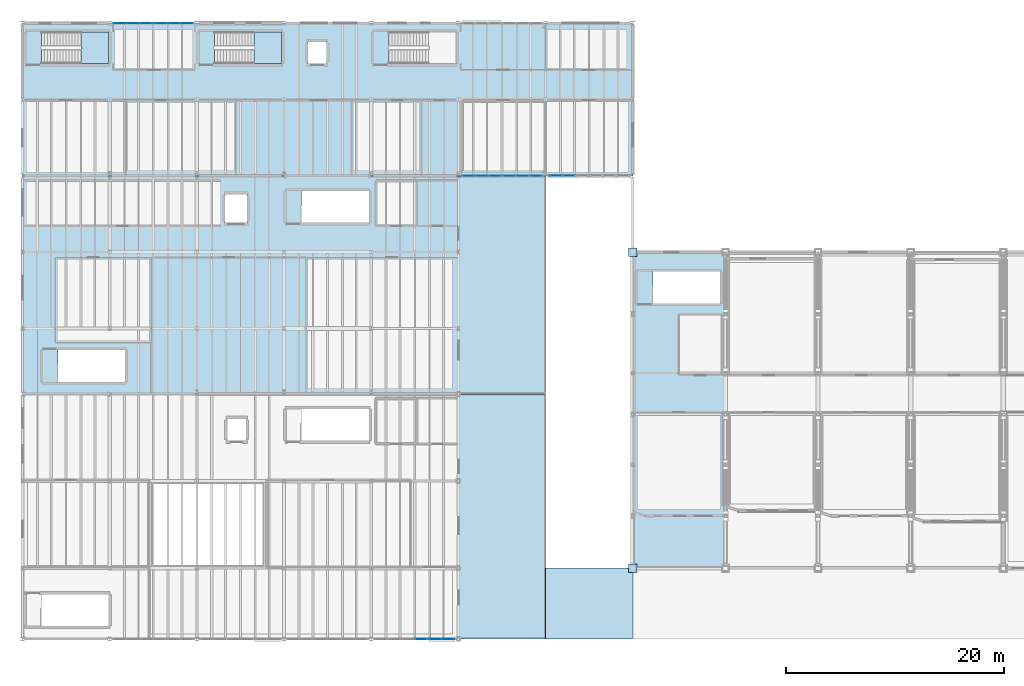
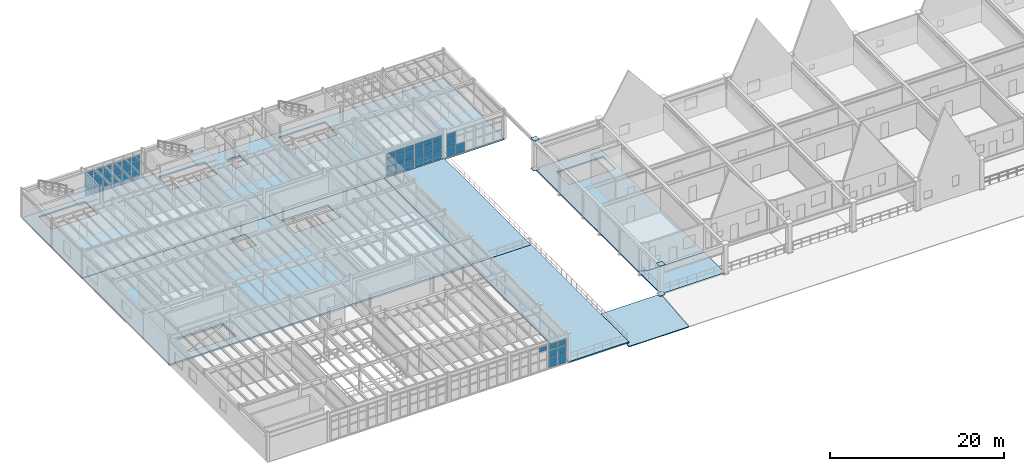
# One storey, part 49 of 78: 51 plates, 9 slabs, 10 elements without a shape of their own.
"""IFC4 building model written with IfcOpenShell, lengths in metres."""

from ifc_helpers import new_model, si_unit, direction, frame, origin, origin_2d, place, context, subcontext, project, spatial, polyline, rectangle, outline, extrude, material, layer, layer_set, material_profile, profile_set, type_object, element, aggregate, save


model = new_model("IFC4")

# Units and contexts
model_context = context("Model", 3, precision=1e-05, world=origin(), true_north=direction((0.0, 1.0)))
body_context = subcontext(model_context, "Body", "Model", "MODEL_VIEW")
ifc_project = project(units=[si_unit("LENGTHUNIT", "METRE"), si_unit("AREAUNIT", "SQUARE_METRE"), si_unit("VOLUMEUNIT", "CUBIC_METRE"), si_unit("PLANEANGLEUNIT", "RADIAN"), si_unit("MASSUNIT", "GRAM", prefix="KILO"), si_unit("THERMODYNAMICTEMPERATUREUNIT", "KELVIN"), si_unit("POWERUNIT", "WATT")], contexts=[model_context])

# Site, building, storey
site_placement = place(None, origin())
site = spatial("IfcSite", under=ifc_project, at=site_placement, CompositionType="ELEMENT")
building_placement = place(site_placement, origin())
building = spatial("IfcBuilding", under=site, at=building_placement, Name="Zhenchuan Central Fire Station", CompositionType="ELEMENT")
storey_placement = place(building_placement, frame((0.0, 0.0, 5.85009765625)))
storey = spatial("IfcBuildingStorey", under=building, at=storey_placement, Name="L02", CompositionType="ELEMENT", Elevation=5.85009765625)

# Curtain wall, plate
ifc_material_1 = material(Name="Anodised aluminium and low-E glazing", Category="aluminium")
curtain_wall_type_1 = type_object("IfcCurtainWallType", Name="CW-MOD-05", PredefinedType="USERDEFINED", material=ifc_material_1)
curtain_wall_1_placement = place(storey_placement, origin())
curtain_wall_1 = element("IfcCurtainWall", 1, at=curtain_wall_1_placement, inside=storey, type_object=curtain_wall_type_1, Name="L02 Unitised Curtain Wall 035", ObjectType="UNITISED GLAZING", PredefinedType="USERDEFINED")
ifc_material_2 = material(Name="Laminated low-E double glazing", Category="glass")
ifc_layer_1 = layer(ifc_material_2, 0.011962890625, Name="Laminated low-E double glazing", Category="glass")
ifc_layer_set_1 = layer_set([ifc_layer_1], Name="Laminated low-E double glazing")
plate_type_1 = type_object("IfcPlateType", Name="CW-PNL12", PredefinedType="CURTAIN_PANEL", material=ifc_layer_set_1)
plate_1_placement = place(storey_placement, frame((36.581298828125, 0.0, 2.6845703125), z_axis=(0.0, 0.0, 1.0), x_axis=(1.0, 0.0, 0.0)))
plate_1 = element("IfcPlate", 2, at=plate_1_placement, type_object=plate_type_1, Name="CW-05 panel 2.3", PredefinedType="CURTAIN_PANEL", context=body_context, shape_type="SweptSolid", body=[
    extrude(rectangle(XDim=1.097900390625, YDim=0.011962890625, at=origin_2d()), origin(), (0.0, 0.0, 1.0), 0.650390625),
])
aggregate(curtain_wall_1, [plate_1])

# Curtain wall, plates
curtain_wall_type_2 = type_object("IfcCurtainWallType", Name="CW-MOD-06", PredefinedType="USERDEFINED", material=ifc_material_1)
curtain_wall_2_placement = place(storey_placement, origin())
curtain_wall_2 = element("IfcCurtainWall", 3, at=curtain_wall_2_placement, inside=storey, type_object=curtain_wall_type_2, Name="L02 Unitised Curtain Wall 036", ObjectType="UNITISED GLAZING", PredefinedType="USERDEFINED")
plate_2_placement = place(storey_placement, frame((37.894775390625, 0.0, 0.06103515625), z_axis=(0.0, 0.0, 1.0), x_axis=(1.0, 0.0, 0.0)))
plate_2 = element("IfcPlate", 4, at=plate_2_placement, type_object=plate_type_1, Name="CW-06 panel 1.1", PredefinedType="CURTAIN_PANEL", context=body_context, shape_type="SweptSolid", body=[
    extrude(rectangle(XDim=1.116943359375, YDim=0.011962890625, at=origin_2d()), origin(), (0.0, 0.0, 1.0), 1.33447265625),
])
plate_3_placement = place(storey_placement, frame((37.894775390625, 0.0, 1.46044921875), z_axis=(0.0, 0.0, 1.0), x_axis=(1.0, 0.0, 0.0)))
plate_3 = element("IfcPlate", 5, at=plate_3_placement, type_object=plate_type_1, Name="CW-06 panel 1.2", PredefinedType="CURTAIN_PANEL", context=body_context, shape_type="SweptSolid", body=[
    extrude(rectangle(XDim=1.116943359375, YDim=0.011962890625, at=origin_2d()), origin(), (0.0, 0.0, 1.0), 1.158935546875),
])
plate_4_placement = place(storey_placement, frame((37.894775390625, 0.0, 2.6845703125), z_axis=(0.0, 0.0, 1.0), x_axis=(1.0, 0.0, 0.0)))
plate_4 = element("IfcPlate", 6, at=plate_4_placement, type_object=plate_type_1, Name="CW-06 panel 1.3", PredefinedType="CURTAIN_PANEL", context=body_context, shape_type="SweptSolid", body=[
    extrude(rectangle(XDim=1.116943359375, YDim=0.011962890625, at=origin_2d()), origin(), (0.0, 0.0, 1.0), 0.650390625),
])
plate_5_placement = place(storey_placement, frame((39.07666015625, 0.0, 0.06103515625), z_axis=(0.0, 0.0, 1.0), x_axis=(1.0, 0.0, 0.0)))
plate_5 = element("IfcPlate", 7, at=plate_5_placement, type_object=plate_type_1, Name="CW-06 panel 2.1", PredefinedType="CURTAIN_PANEL", context=body_context, shape_type="SweptSolid", body=[
    extrude(rectangle(XDim=1.116943359375, YDim=0.011962890625, at=origin_2d()), origin(), (0.0, 0.0, 1.0), 1.33447265625),
])
plate_6_placement = place(storey_placement, frame((39.07666015625, 0.0, 1.46044921875), z_axis=(0.0, 0.0, 1.0), x_axis=(1.0, 0.0, 0.0)))
plate_6 = element("IfcPlate", 8, at=plate_6_placement, type_object=plate_type_1, Name="CW-06 panel 2.2", PredefinedType="CURTAIN_PANEL", context=body_context, shape_type="SweptSolid", body=[
    extrude(rectangle(XDim=1.116943359375, YDim=0.011962890625, at=origin_2d()), origin(), (0.0, 0.0, 1.0), 1.158935546875),
])
plate_7_placement = place(storey_placement, frame((39.07666015625, 0.0, 2.6845703125), z_axis=(0.0, 0.0, 1.0), x_axis=(1.0, 0.0, 0.0)))
plate_7 = element("IfcPlate", 9, at=plate_7_placement, type_object=plate_type_1, Name="CW-06 panel 2.3", PredefinedType="CURTAIN_PANEL", context=body_context, shape_type="SweptSolid", body=[
    extrude(rectangle(XDim=1.116943359375, YDim=0.011962890625, at=origin_2d()), origin(), (0.0, 0.0, 1.0), 0.650390625),
])
aggregate(curtain_wall_2, [plate_2, plate_3, plate_4, plate_5, plate_6, plate_7])

curtain_wall_3_placement = place(storey_placement, origin())
curtain_wall_3 = element("IfcCurtainWall", 10, at=curtain_wall_3_placement, inside=storey, type_object=curtain_wall_type_1, Name="L02 Unitised Curtain Wall 058", ObjectType="UNITISED GLAZING", PredefinedType="USERDEFINED")
plate_8_placement = place(storey_placement, frame((8.926513671875, 56.5, 0.06103515625), z_axis=(0.0, 0.0, 1.0), x_axis=(1.0, 0.0, 0.0)))
plate_8 = element("IfcPlate", 11, at=plate_8_placement, type_object=plate_type_1, Name="CW-05 panel 1.1", PredefinedType="CURTAIN_PANEL", context=body_context, shape_type="SweptSolid", body=[
    extrude(rectangle(XDim=1.123046875, YDim=0.011962890625, at=origin_2d()), origin(), (0.0, 0.0, 1.0), 1.33447265625),
])
plate_9_placement = place(storey_placement, frame((8.926513671875, 56.5, 1.46044921875), z_axis=(0.0, 0.0, 1.0), x_axis=(1.0, 0.0, 0.0)))
plate_9 = element("IfcPlate", 12, at=plate_9_placement, type_object=plate_type_1, Name="CW-05 panel 1.2", PredefinedType="CURTAIN_PANEL", context=body_context, shape_type="SweptSolid", body=[
    extrude(rectangle(XDim=1.123046875, YDim=0.011962890625, at=origin_2d()), origin(), (0.0, 0.0, 1.0), 1.158935546875),
])
plate_10_placement = place(storey_placement, frame((8.926513671875, 56.5, 2.6845703125), z_axis=(0.0, 0.0, 1.0), x_axis=(1.0, 0.0, 0.0)))
plate_10 = element("IfcPlate", 13, at=plate_10_placement, type_object=plate_type_1, Name="CW-05 panel 1.3", PredefinedType="CURTAIN_PANEL", context=body_context, shape_type="SweptSolid", body=[
    extrude(rectangle(XDim=1.123046875, YDim=0.011962890625, at=origin_2d()), origin(), (0.0, 0.0, 1.0), 0.650390625),
])
plate_11_placement = place(storey_placement, frame((10.131103515625, 56.5, 0.06103515625), z_axis=(0.0, 0.0, 1.0), x_axis=(1.0, 0.0, 0.0)))
plate_11 = element("IfcPlate", 14, at=plate_11_placement, type_object=plate_type_1, Name="CW-05 panel 2.1", PredefinedType="CURTAIN_PANEL", context=body_context, shape_type="SweptSolid", body=[
    extrude(rectangle(XDim=1.15576171875, YDim=0.011962890625, at=origin_2d()), origin(), (0.0, 0.0, 1.0), 1.33447265625),
])
plate_12_placement = place(storey_placement, frame((10.131103515625, 56.5, 1.46044921875), z_axis=(0.0, 0.0, 1.0), x_axis=(1.0, 0.0, 0.0)))
plate_12 = element("IfcPlate", 15, at=plate_12_placement, type_object=plate_type_1, Name="CW-05 panel 2.2", PredefinedType="CURTAIN_PANEL", context=body_context, shape_type="SweptSolid", body=[
    extrude(rectangle(XDim=1.15576171875, YDim=0.011962890625, at=origin_2d()), origin(), (0.0, 0.0, 1.0), 1.158935546875),
])
plate_13_placement = place(storey_placement, frame((10.131103515625, 56.5, 2.6845703125), z_axis=(0.0, 0.0, 1.0), x_axis=(1.0, 0.0, 0.0)))
plate_13 = element("IfcPlate", 16, at=plate_13_placement, type_object=plate_type_1, Name="CW-05 panel 2.3", PredefinedType="CURTAIN_PANEL", context=body_context, shape_type="SweptSolid", body=[
    extrude(rectangle(XDim=1.15576171875, YDim=0.011962890625, at=origin_2d()), origin(), (0.0, 0.0, 1.0), 0.650390625),
])
plate_14_placement = place(storey_placement, frame((11.33544921875, 56.5, 0.06103515625), z_axis=(0.0, 0.0, 1.0), x_axis=(1.0, 0.0, 0.0)))
plate_14 = element("IfcPlate", 17, at=plate_14_placement, type_object=plate_type_1, Name="CW-05 panel 3.1", PredefinedType="CURTAIN_PANEL", context=body_context, shape_type="SweptSolid", body=[
    extrude(rectangle(XDim=1.123046875, YDim=0.011962890625, at=origin_2d()), origin(), (0.0, 0.0, 1.0), 1.33447265625),
])
plate_15_placement = place(storey_placement, frame((11.33544921875, 56.5, 1.46044921875), z_axis=(0.0, 0.0, 1.0), x_axis=(1.0, 0.0, 0.0)))
plate_15 = element("IfcPlate", 18, at=plate_15_placement, type_object=plate_type_1, Name="CW-05 panel 3.2", PredefinedType="CURTAIN_PANEL", context=body_context, shape_type="SweptSolid", body=[
    extrude(rectangle(XDim=1.123046875, YDim=0.011962890625, at=origin_2d()), origin(), (0.0, 0.0, 1.0), 1.158935546875),
])
plate_16_placement = place(storey_placement, frame((11.33544921875, 56.5, 2.6845703125), z_axis=(0.0, 0.0, 1.0), x_axis=(1.0, 0.0, 0.0)))
plate_16 = element("IfcPlate", 19, at=plate_16_placement, type_object=plate_type_1, Name="CW-05 panel 3.3", PredefinedType="CURTAIN_PANEL", context=body_context, shape_type="SweptSolid", body=[
    extrude(rectangle(XDim=1.123046875, YDim=0.011962890625, at=origin_2d()), origin(), (0.0, 0.0, 1.0), 0.650390625),
])
aggregate(curtain_wall_3, [plate_8, plate_9, plate_10, plate_11, plate_12, plate_13, plate_14, plate_15, plate_16])

curtain_wall_4_placement = place(storey_placement, origin())
curtain_wall_4 = element("IfcCurtainWall", 20, at=curtain_wall_4_placement, inside=storey, type_object=curtain_wall_type_2, Name="L02 Unitised Curtain Wall 059", ObjectType="UNITISED GLAZING", PredefinedType="USERDEFINED")
plate_17_placement = place(storey_placement, frame((12.66455078125, 56.5, 0.06103515625), z_axis=(0.0, 0.0, 1.0), x_axis=(1.0, 0.0, 0.0)))
plate_17 = element("IfcPlate", 21, at=plate_17_placement, type_object=plate_type_1, Name="CW-06 panel 1.1", PredefinedType="CURTAIN_PANEL", context=body_context, shape_type="SweptSolid", body=[
    extrude(rectangle(XDim=1.123046875, YDim=0.011962890625, at=origin_2d()), origin(), (0.0, 0.0, 1.0), 1.33447265625),
])
plate_18_placement = place(storey_placement, frame((12.66455078125, 56.5, 1.46044921875), z_axis=(0.0, 0.0, 1.0), x_axis=(1.0, 0.0, 0.0)))
plate_18 = element("IfcPlate", 22, at=plate_18_placement, type_object=plate_type_1, Name="CW-06 panel 1.2", PredefinedType="CURTAIN_PANEL", context=body_context, shape_type="SweptSolid", body=[
    extrude(rectangle(XDim=1.123046875, YDim=0.011962890625, at=origin_2d()), origin(), (0.0, 0.0, 1.0), 1.158935546875),
])
plate_19_placement = place(storey_placement, frame((12.66455078125, 56.5, 2.6845703125), z_axis=(0.0, 0.0, 1.0), x_axis=(1.0, 0.0, 0.0)))
plate_19 = element("IfcPlate", 23, at=plate_19_placement, type_object=plate_type_1, Name="CW-06 panel 1.3", PredefinedType="CURTAIN_PANEL", context=body_context, shape_type="SweptSolid", body=[
    extrude(rectangle(XDim=1.123046875, YDim=0.011962890625, at=origin_2d()), origin(), (0.0, 0.0, 1.0), 0.650390625),
])
plate_20_placement = place(storey_placement, frame((13.868896484375, 56.5, 0.06103515625), z_axis=(0.0, 0.0, 1.0), x_axis=(1.0, 0.0, 0.0)))
plate_20 = element("IfcPlate", 24, at=plate_20_placement, type_object=plate_type_1, Name="CW-06 panel 2.1", PredefinedType="CURTAIN_PANEL", context=body_context, shape_type="SweptSolid", body=[
    extrude(rectangle(XDim=1.15576171875, YDim=0.011962890625, at=origin_2d()), origin(), (0.0, 0.0, 1.0), 1.33447265625),
])
plate_21_placement = place(storey_placement, frame((13.868896484375, 56.5, 1.46044921875), z_axis=(0.0, 0.0, 1.0), x_axis=(1.0, 0.0, 0.0)))
plate_21 = element("IfcPlate", 25, at=plate_21_placement, type_object=plate_type_1, Name="CW-06 panel 2.2", PredefinedType="CURTAIN_PANEL", context=body_context, shape_type="SweptSolid", body=[
    extrude(rectangle(XDim=1.15576171875, YDim=0.011962890625, at=origin_2d()), origin(), (0.0, 0.0, 1.0), 1.158935546875),
])
plate_22_placement = place(storey_placement, frame((13.868896484375, 56.5, 2.6845703125), z_axis=(0.0, 0.0, 1.0), x_axis=(1.0, 0.0, 0.0)))
plate_22 = element("IfcPlate", 26, at=plate_22_placement, type_object=plate_type_1, Name="CW-06 panel 2.3", PredefinedType="CURTAIN_PANEL", context=body_context, shape_type="SweptSolid", body=[
    extrude(rectangle(XDim=1.15576171875, YDim=0.011962890625, at=origin_2d()), origin(), (0.0, 0.0, 1.0), 0.650390625),
])
plate_23_placement = place(storey_placement, frame((15.073486328125, 56.5, 0.06103515625), z_axis=(0.0, 0.0, 1.0), x_axis=(1.0, 0.0, 0.0)))
plate_23 = element("IfcPlate", 27, at=plate_23_placement, type_object=plate_type_1, Name="CW-06 panel 3.1", PredefinedType="CURTAIN_PANEL", context=body_context, shape_type="SweptSolid", body=[
    extrude(rectangle(XDim=1.123046875, YDim=0.011962890625, at=origin_2d()), origin(), (0.0, 0.0, 1.0), 1.33447265625),
])
plate_24_placement = place(storey_placement, frame((15.073486328125, 56.5, 1.46044921875), z_axis=(0.0, 0.0, 1.0), x_axis=(1.0, 0.0, 0.0)))
plate_24 = element("IfcPlate", 28, at=plate_24_placement, type_object=plate_type_1, Name="CW-06 panel 3.2", PredefinedType="CURTAIN_PANEL", context=body_context, shape_type="SweptSolid", body=[
    extrude(rectangle(XDim=1.123046875, YDim=0.011962890625, at=origin_2d()), origin(), (0.0, 0.0, 1.0), 1.158935546875),
])
plate_25_placement = place(storey_placement, frame((15.073486328125, 56.5, 2.6845703125), z_axis=(0.0, 0.0, 1.0), x_axis=(1.0, 0.0, 0.0)))
plate_25 = element("IfcPlate", 29, at=plate_25_placement, type_object=plate_type_1, Name="CW-06 panel 3.3", PredefinedType="CURTAIN_PANEL", context=body_context, shape_type="SweptSolid", body=[
    extrude(rectangle(XDim=1.123046875, YDim=0.011962890625, at=origin_2d()), origin(), (0.0, 0.0, 1.0), 0.650390625),
])
aggregate(curtain_wall_4, [plate_17, plate_18, plate_19, plate_20, plate_21, plate_22, plate_23, plate_24, plate_25])

curtain_wall_5_placement = place(storey_placement, origin())
curtain_wall_5 = element("IfcCurtainWall", 30, at=curtain_wall_5_placement, inside=storey, type_object=curtain_wall_type_2, Name="L02 Unitised Curtain Wall 062", ObjectType="UNITISED GLAZING", PredefinedType="USERDEFINED")
plate_26_placement = place(storey_placement, frame((40.926513671875, 42.5, 0.06103515625), z_axis=(0.0, 0.0, 1.0), x_axis=(1.0, 0.0, 0.0)))
plate_26 = element("IfcPlate", 31, at=plate_26_placement, type_object=plate_type_1, Name="CW-06 panel 1.1", PredefinedType="CURTAIN_PANEL", context=body_context, shape_type="SweptSolid", body=[
    extrude(rectangle(XDim=1.123046875, YDim=0.011962890625, at=origin_2d()), origin(), (0.0, 0.0, 1.0), 1.33447265625),
])
plate_27_placement = place(storey_placement, frame((40.926513671875, 42.5, 1.46044921875), z_axis=(0.0, 0.0, 1.0), x_axis=(1.0, 0.0, 0.0)))
plate_27 = element("IfcPlate", 32, at=plate_27_placement, type_object=plate_type_1, Name="CW-06 panel 1.2", PredefinedType="CURTAIN_PANEL", context=body_context, shape_type="SweptSolid", body=[
    extrude(rectangle(XDim=1.123046875, YDim=0.011962890625, at=origin_2d()), origin(), (0.0, 0.0, 1.0), 1.158935546875),
])
plate_28_placement = place(storey_placement, frame((40.926513671875, 42.5, 2.6845703125), z_axis=(0.0, 0.0, 1.0), x_axis=(1.0, 0.0, 0.0)))
plate_28 = element("IfcPlate", 33, at=plate_28_placement, type_object=plate_type_1, Name="CW-06 panel 1.3", PredefinedType="CURTAIN_PANEL", context=body_context, shape_type="SweptSolid", body=[
    extrude(rectangle(XDim=1.123046875, YDim=0.011962890625, at=origin_2d()), origin(), (0.0, 0.0, 1.0), 0.650390625),
])
plate_29_placement = place(storey_placement, frame((42.131103515625, 42.5, 0.06103515625), z_axis=(0.0, 0.0, 1.0), x_axis=(1.0, 0.0, 0.0)))
plate_29 = element("IfcPlate", 34, at=plate_29_placement, type_object=plate_type_1, Name="CW-06 panel 2.1", PredefinedType="CURTAIN_PANEL", context=body_context, shape_type="SweptSolid", body=[
    extrude(rectangle(XDim=1.15576171875, YDim=0.011962890625, at=origin_2d()), origin(), (0.0, 0.0, 1.0), 1.33447265625),
])
plate_30_placement = place(storey_placement, frame((42.131103515625, 42.5, 1.46044921875), z_axis=(0.0, 0.0, 1.0), x_axis=(1.0, 0.0, 0.0)))
plate_30 = element("IfcPlate", 35, at=plate_30_placement, type_object=plate_type_1, Name="CW-06 panel 2.2", PredefinedType="CURTAIN_PANEL", context=body_context, shape_type="SweptSolid", body=[
    extrude(rectangle(XDim=1.15576171875, YDim=0.011962890625, at=origin_2d()), origin(), (0.0, 0.0, 1.0), 1.158935546875),
])
plate_31_placement = place(storey_placement, frame((42.131103515625, 42.5, 2.6845703125), z_axis=(0.0, 0.0, 1.0), x_axis=(1.0, 0.0, 0.0)))
plate_31 = element("IfcPlate", 36, at=plate_31_placement, type_object=plate_type_1, Name="CW-06 panel 2.3", PredefinedType="CURTAIN_PANEL", context=body_context, shape_type="SweptSolid", body=[
    extrude(rectangle(XDim=1.15576171875, YDim=0.011962890625, at=origin_2d()), origin(), (0.0, 0.0, 1.0), 0.650390625),
])
plate_32_placement = place(storey_placement, frame((43.33544921875, 42.5, 0.06103515625), z_axis=(0.0, 0.0, 1.0), x_axis=(1.0, 0.0, 0.0)))
plate_32 = element("IfcPlate", 37, at=plate_32_placement, type_object=plate_type_1, Name="CW-06 panel 3.1", PredefinedType="CURTAIN_PANEL", context=body_context, shape_type="SweptSolid", body=[
    extrude(rectangle(XDim=1.123046875, YDim=0.011962890625, at=origin_2d()), origin(), (0.0, 0.0, 1.0), 1.33447265625),
])
plate_33_placement = place(storey_placement, frame((43.33544921875, 42.5, 1.46044921875), z_axis=(0.0, 0.0, 1.0), x_axis=(1.0, 0.0, 0.0)))
plate_33 = element("IfcPlate", 38, at=plate_33_placement, type_object=plate_type_1, Name="CW-06 panel 3.2", PredefinedType="CURTAIN_PANEL", context=body_context, shape_type="SweptSolid", body=[
    extrude(rectangle(XDim=1.123046875, YDim=0.011962890625, at=origin_2d()), origin(), (0.0, 0.0, 1.0), 1.158935546875),
])
plate_34_placement = place(storey_placement, frame((43.33544921875, 42.5, 2.6845703125), z_axis=(0.0, 0.0, 1.0), x_axis=(1.0, 0.0, 0.0)))
plate_34 = element("IfcPlate", 39, at=plate_34_placement, type_object=plate_type_1, Name="CW-06 panel 3.3", PredefinedType="CURTAIN_PANEL", context=body_context, shape_type="SweptSolid", body=[
    extrude(rectangle(XDim=1.123046875, YDim=0.011962890625, at=origin_2d()), origin(), (0.0, 0.0, 1.0), 0.650390625),
])
aggregate(curtain_wall_5, [plate_26, plate_27, plate_28, plate_29, plate_30, plate_31, plate_32, plate_33, plate_34])

curtain_wall_type_3 = type_object("IfcCurtainWallType", Name="CW-MOD-07", PredefinedType="USERDEFINED", material=ifc_material_1)
curtain_wall_6_placement = place(storey_placement, origin())
curtain_wall_6 = element("IfcCurtainWall", 40, at=curtain_wall_6_placement, inside=storey, type_object=curtain_wall_type_3, Name="L02 Unitised Curtain Wall 063", ObjectType="UNITISED GLAZING", PredefinedType="USERDEFINED")
plate_35_placement = place(storey_placement, frame((44.66455078125, 42.5, 0.06103515625), z_axis=(0.0, 0.0, 1.0), x_axis=(1.0, 0.0, 0.0)))
plate_35 = element("IfcPlate", 41, at=plate_35_placement, type_object=plate_type_1, Name="CW-07 panel 1.1", PredefinedType="CURTAIN_PANEL", context=body_context, shape_type="SweptSolid", body=[
    extrude(rectangle(XDim=1.123046875, YDim=0.011962890625, at=origin_2d()), origin(), (0.0, 0.0, 1.0), 1.33447265625),
])
plate_36_placement = place(storey_placement, frame((44.66455078125, 42.5, 1.46044921875), z_axis=(0.0, 0.0, 1.0), x_axis=(1.0, 0.0, 0.0)))
plate_36 = element("IfcPlate", 42, at=plate_36_placement, type_object=plate_type_1, Name="CW-07 panel 1.2", PredefinedType="CURTAIN_PANEL", context=body_context, shape_type="SweptSolid", body=[
    extrude(rectangle(XDim=1.123046875, YDim=0.011962890625, at=origin_2d()), origin(), (0.0, 0.0, 1.0), 1.158935546875),
])
plate_37_placement = place(storey_placement, frame((44.66455078125, 42.5, 2.6845703125), z_axis=(0.0, 0.0, 1.0), x_axis=(1.0, 0.0, 0.0)))
plate_37 = element("IfcPlate", 43, at=plate_37_placement, type_object=plate_type_1, Name="CW-07 panel 1.3", PredefinedType="CURTAIN_PANEL", context=body_context, shape_type="SweptSolid", body=[
    extrude(rectangle(XDim=1.123046875, YDim=0.011962890625, at=origin_2d()), origin(), (0.0, 0.0, 1.0), 0.650390625),
])
plate_38_placement = place(storey_placement, frame((45.868896484375, 42.5, 0.06103515625), z_axis=(0.0, 0.0, 1.0), x_axis=(1.0, 0.0, 0.0)))
plate_38 = element("IfcPlate", 44, at=plate_38_placement, type_object=plate_type_1, Name="CW-07 panel 2.1", PredefinedType="CURTAIN_PANEL", context=body_context, shape_type="SweptSolid", body=[
    extrude(rectangle(XDim=1.15576171875, YDim=0.011962890625, at=origin_2d()), origin(), (0.0, 0.0, 1.0), 1.33447265625),
])
plate_39_placement = place(storey_placement, frame((45.868896484375, 42.5, 1.46044921875), z_axis=(0.0, 0.0, 1.0), x_axis=(1.0, 0.0, 0.0)))
plate_39 = element("IfcPlate", 45, at=plate_39_placement, type_object=plate_type_1, Name="CW-07 panel 2.2", PredefinedType="CURTAIN_PANEL", context=body_context, shape_type="SweptSolid", body=[
    extrude(rectangle(XDim=1.15576171875, YDim=0.011962890625, at=origin_2d()), origin(), (0.0, 0.0, 1.0), 1.158935546875),
])
plate_40_placement = place(storey_placement, frame((45.868896484375, 42.5, 2.6845703125), z_axis=(0.0, 0.0, 1.0), x_axis=(1.0, 0.0, 0.0)))
plate_40 = element("IfcPlate", 46, at=plate_40_placement, type_object=plate_type_1, Name="CW-07 panel 2.3", PredefinedType="CURTAIN_PANEL", context=body_context, shape_type="SweptSolid", body=[
    extrude(rectangle(XDim=1.15576171875, YDim=0.011962890625, at=origin_2d()), origin(), (0.0, 0.0, 1.0), 0.650390625),
])
plate_41_placement = place(storey_placement, frame((47.073486328125, 42.5, 0.06103515625), z_axis=(0.0, 0.0, 1.0), x_axis=(1.0, 0.0, 0.0)))
plate_41 = element("IfcPlate", 47, at=plate_41_placement, type_object=plate_type_1, Name="CW-07 panel 3.1", PredefinedType="CURTAIN_PANEL", context=body_context, shape_type="SweptSolid", body=[
    extrude(rectangle(XDim=1.123046875, YDim=0.011962890625, at=origin_2d()), origin(), (0.0, 0.0, 1.0), 1.33447265625),
])
plate_42_placement = place(storey_placement, frame((47.073486328125, 42.5, 1.46044921875), z_axis=(0.0, 0.0, 1.0), x_axis=(1.0, 0.0, 0.0)))
plate_42 = element("IfcPlate", 48, at=plate_42_placement, type_object=plate_type_1, Name="CW-07 panel 3.2", PredefinedType="CURTAIN_PANEL", context=body_context, shape_type="SweptSolid", body=[
    extrude(rectangle(XDim=1.123046875, YDim=0.011962890625, at=origin_2d()), origin(), (0.0, 0.0, 1.0), 1.158935546875),
])
plate_43_placement = place(storey_placement, frame((47.073486328125, 42.5, 2.6845703125), z_axis=(0.0, 0.0, 1.0), x_axis=(1.0, 0.0, 0.0)))
plate_43 = element("IfcPlate", 49, at=plate_43_placement, type_object=plate_type_1, Name="CW-07 panel 3.3", PredefinedType="CURTAIN_PANEL", context=body_context, shape_type="SweptSolid", body=[
    extrude(rectangle(XDim=1.123046875, YDim=0.011962890625, at=origin_2d()), origin(), (0.0, 0.0, 1.0), 0.650390625),
])
aggregate(curtain_wall_6, [plate_35, plate_36, plate_37, plate_38, plate_39, plate_40, plate_41, plate_42, plate_43])

curtain_wall_7_placement = place(storey_placement, origin())
curtain_wall_7 = element("IfcCurtainWall", 50, at=curtain_wall_7_placement, inside=storey, type_object=curtain_wall_type_3, Name="L02 Unitised Curtain Wall 064", ObjectType="UNITISED GLAZING", PredefinedType="USERDEFINED")
plate_44_placement = place(storey_placement, frame((48.926513671875, 42.5, 0.060791015625), z_axis=(0.0, 0.0, 1.0), x_axis=(1.0, 0.0, 0.0)))
plate_44 = element("IfcPlate", 51, at=plate_44_placement, type_object=plate_type_1, Name="CW-07 panel 1.1", PredefinedType="CURTAIN_PANEL", context=body_context, shape_type="SweptSolid", body=[
    extrude(rectangle(XDim=1.123046875, YDim=0.011962890625, at=origin_2d()), origin(), (0.0, 0.0, 1.0), 1.2900390625),
])
plate_45_placement = place(storey_placement, frame((48.926513671875, 42.5, 1.416015625), z_axis=(0.0, 0.0, 1.0), x_axis=(1.0, 0.0, 0.0)))
plate_45 = element("IfcPlate", 52, at=plate_45_placement, type_object=plate_type_1, Name="CW-07 panel 1.2", PredefinedType="CURTAIN_PANEL", context=body_context, shape_type="SweptSolid", body=[
    extrude(rectangle(XDim=1.123046875, YDim=0.011962890625, at=origin_2d()), origin(), (0.0, 0.0, 1.0), 1.120849609375),
])
plate_46_placement = place(storey_placement, frame((48.926513671875, 42.5, 2.6015625), z_axis=(0.0, 0.0, 1.0), x_axis=(1.0, 0.0, 0.0)))
plate_46 = element("IfcPlate", 53, at=plate_46_placement, type_object=plate_type_1, Name="CW-07 panel 1.3", PredefinedType="CURTAIN_PANEL", context=body_context, shape_type="SweptSolid", body=[
    extrude(rectangle(XDim=1.123046875, YDim=0.011962890625, at=origin_2d()), origin(), (0.0, 0.0, 1.0), 0.627197265625),
])
plate_47_placement = place(storey_placement, frame((50.131103515625, 42.5, 0.060791015625), z_axis=(0.0, 0.0, 1.0), x_axis=(1.0, 0.0, 0.0)))
plate_47 = element("IfcPlate", 54, at=plate_47_placement, type_object=plate_type_1, Name="CW-07 panel 2.1", PredefinedType="CURTAIN_PANEL", context=body_context, shape_type="SweptSolid", body=[
    extrude(rectangle(XDim=1.15576171875, YDim=0.011962890625, at=origin_2d()), origin(), (0.0, 0.0, 1.0), 1.2900390625),
])
aggregate(curtain_wall_7, [plate_44, plate_45, plate_46, plate_47])

# Plates
ifc_material_3 = material(Name="Steel Q355B", Category="steel")
ifc_material_profile = material_profile(ifc_material_3, rectangle(XDim=0.760009765625, YDim=0.760009765625, at=origin_2d()), Name="PL 760x760x40")
ifc_profile_set = profile_set([ifc_material_profile], Name="Steel Q355B")
plate_type_2 = type_object("IfcPlateType", Name="PL-BAS40-INT", PredefinedType="SHEET", material=ifc_profile_set)
for number, where, z_axis, x_axis, name in (
    (55, (56.0, 6.5, -0.01611328125), (0.0, 0.0, 1.0), (1.0, 0.0, 0.0), "L02 Column 058 end cap plate A"),
    (56, (56.0, 6.5, 4.19580078125), (0.0, 0.0, 1.0), (1.0, 0.0, 0.0), "L02 Column 058 end cap plate B"),
    (57, (56.0, 35.5, -0.01611328125), (0.0, 0.0, 1.0), (1.0, 0.0, 0.0), "L02 Column 059 end cap plate A"),
    (58, (56.0, 35.5, 4.19580078125), (0.0, 0.0, 1.0), (1.0, 0.0, 0.0), "L02 Column 059 end cap plate B"),
):
    element("IfcPlate", number, at=place(storey_placement, frame(where, z_axis=z_axis, x_axis=x_axis)), inside=storey, type_object=plate_type_2, Name=name, PredefinedType="SHEET", context=body_context, shape_type="SweptSolid", body=[
        extrude(rectangle(XDim=0.760009765625, YDim=0.760009765625, at=origin_2d()), origin(), (0.0, 0.0, 1.0), 0.02001953125),
    ])

# Slabs
ifc_material_4 = material(Name="Concrete C35/45", Category="concrete")
ifc_layer_2 = layer(ifc_material_4, 0.179931640625, Name="Concrete C35/45", Category="concrete")
ifc_layer_set_2 = layer_set([ifc_layer_2], Name="Concrete C35/45")
slab_type_1 = type_object("IfcSlabType", Name="SL-EXT180", PredefinedType="FLOOR", material=ifc_layer_set_2)
slab_1_placement = place(storey_placement, frame((0.0, 0.0, -0.18017578125)))
element("IfcSlab", 59, at=slab_1_placement, inside=storey, type_object=slab_type_1, Name="L02 Public Gallery Viewing Terrace", PredefinedType="FLOOR", context=body_context, shape_type="SweptSolid", body=[
    extrude(outline(polyline([(40.00390625, 0.0), (48.0, 0.0), (48.0, 22.49609375), (40.00390625, 22.49609375), (40.00390625, 0.0)])), origin(), (0.0, 0.0, 1.0), 0.18017578125),
])
slab_2_placement = place(storey_placement, frame((0.0, 0.0, -0.18017578125)))
element("IfcSlab", 60, at=slab_2_placement, inside=storey, type_object=slab_type_1, Name="L02 Workshop Drill Terrace", PredefinedType="FLOOR", context=body_context, shape_type="SweptSolid", body=[
    extrude(outline(polyline([(40.00390625, 22.50390625), (48.0, 22.50390625), (48.0, 42.49609375), (40.00390625, 42.49609375), (40.00390625, 22.50390625)])), origin(), (0.0, 0.0, 1.0), 0.18017578125),
])
slab_3_placement = place(storey_placement, frame((0.0, 0.0, -0.18017578125)))
element("IfcSlab", 61, at=slab_3_placement, inside=storey, type_object=slab_type_1, Name="L02 Setback Terrace H01", PredefinedType="FLOOR", context=body_context, shape_type="SweptSolid", body=[
    extrude(outline(polyline([(56.02490234375, 6.5), (64.4970703125, 6.5), (64.4970703125, 11.2958984375), (57.125, 11.2958984375), (56.02490234375, 11.696044921875), (56.02490234375, 6.5)])), origin(), (0.0, 0.0, 1.0), 0.18017578125),
])
ifc_layer_3 = layer(ifc_material_4, 0.199951171875, Name="Concrete C35/45", Category="concrete")
ifc_layer_set_3 = layer_set([ifc_layer_3], Name="Concrete C35/45")
slab_type_2 = type_object("IfcSlabType", Name="SL-FLR200", PredefinedType="FLOOR", material=ifc_layer_set_3)
slab_4_placement = place(storey_placement, frame((0.0, 0.0, -0.2001953125)))
element("IfcSlab", 62, at=slab_4_placement, inside=storey, type_object=slab_type_2, Name="L02 Crew Dormitories Floor Slab", PredefinedType="FLOOR", context=body_context, shape_type="SweptSolid", body=[
    extrude(outline(polyline([(0.0, 42.5), (55.97509765625, 42.5), (55.97509765625, 56.5), (0.0, 56.5), (0.0, 42.5)]), holes=[polyline([(1.75048828125, 52.800048828125), (7.909912109375, 52.800048828125), (7.909912109375, 55.699951171875), (1.75048828125, 55.699951171875), (1.75048828125, 52.800048828125)]), polyline([(17.62060546875, 52.800048828125), (23.780029296875, 52.800048828125), (23.780029296875, 55.699951171875), (17.62060546875, 55.699951171875), (17.62060546875, 52.800048828125)]), polyline([(33.62060546875, 52.800048828125), (39.780029296875, 52.800048828125), (39.780029296875, 55.699951171875), (33.62060546875, 55.699951171875), (33.62060546875, 52.800048828125)]), polyline([(26.199951171875, 52.800048828125), (27.89990234375, 52.800048828125), (27.89990234375, 54.800048828125), (26.199951171875, 54.800048828125), (26.199951171875, 52.800048828125)])]), origin(), (0.0, 0.0, 1.0), 0.2001953125),
])
slab_5_placement = place(storey_placement, frame((0.0, 0.0, -0.2001953125)))
element("IfcSlab", 63, at=slab_5_placement, inside=storey, type_object=slab_type_2, Name="L02 Pavilion H01 Floor Slab", PredefinedType="FLOOR", context=body_context, shape_type="SweptSolid", body=[
    extrude(outline(polyline([(56.02490234375, 11.699951171875), (57.125, 11.300048828125), (64.4970703125, 11.300048828125), (64.4970703125, 35.5), (56.02490234375, 35.5), (56.02490234375, 11.699951171875)]), holes=[polyline([(57.8505859375, 30.800048828125), (64.010009765625, 30.800048828125), (64.010009765625, 33.699951171875), (57.8505859375, 33.699951171875), (57.8505859375, 30.800048828125)])]), origin(), (0.0, 0.0, 1.0), 0.2001953125),
])
ifc_layer_4 = layer(ifc_material_4, 0.239990234375, Name="Concrete C35/45", Category="concrete")
ifc_layer_set_4 = layer_set([ifc_layer_4], Name="Concrete C35/45")
slab_type_3 = type_object("IfcSlabType", Name="SL-FLR240", PredefinedType="FLOOR", material=ifc_layer_set_4)
slab_6_placement = place(storey_placement, frame((0.0, 0.0, -0.239990234375)))
element("IfcSlab", 64, at=slab_6_placement, inside=storey, type_object=slab_type_3, Name="L02 Tactical BA Training Floor Slab", PredefinedType="FLOOR", context=body_context, shape_type="SweptSolid", body=[
    extrude(outline(polyline([(0.0, 22.50390625), (40.0, 22.50390625), (40.0, 42.49609375), (0.0, 42.49609375), (0.0, 22.50390625)]), holes=[polyline([(3.25048828125, 23.60009765625), (9.409912109375, 23.60009765625), (9.409912109375, 26.5), (3.25048828125, 26.5), (3.25048828125, 23.60009765625)]), polyline([(25.62060546875, 38.199951171875), (31.780029296875, 38.199951171875), (31.780029296875, 41.10009765625), (25.62060546875, 41.10009765625), (25.62060546875, 38.199951171875)]), polyline([(18.60009765625, 38.199951171875), (20.60009765625, 38.199951171875), (20.60009765625, 40.800048828125), (18.60009765625, 40.800048828125), (18.60009765625, 38.199951171875)])]), origin(), (0.0, 0.0, 1.0), 0.239990234375),
])

# Stair, slab
stair_type = type_object("IfcStairType", Name="ST-CORE-TYP", PredefinedType="HALF_TURN_STAIR", material=ifc_material_4)
stair_1_placement = place(storey_placement, origin())
stair_1 = element("IfcStair", 65, at=stair_1_placement, inside=storey, type_object=stair_type, Name="L02 Crew West Turnout Stair", PredefinedType="HALF_TURN_STAIR")
ifc_layer_5 = layer(ifc_material_4, 0.159912109375, Name="Concrete C35/45", Category="concrete")
ifc_layer_set_5 = layer_set([ifc_layer_5], Name="Concrete C35/45")
slab_type_4 = type_object("IfcSlabType", Name="SL-LND160", PredefinedType="LANDING", material=ifc_layer_set_5)
slab_7_placement = place(storey_placement, frame((0.0, 0.0, 1.89990234375)))
slab_7 = element("IfcSlab", 66, at=slab_7_placement, type_object=slab_type_4, Name="ST-05 landing 1", PredefinedType="LANDING", context=body_context, shape_type="SweptSolid", body=[
    extrude(outline(polyline([(5.389892578125, 52.800048828125), (7.909912109375, 52.800048828125), (7.909912109375, 55.699951171875), (5.389892578125, 55.699951171875), (5.389892578125, 52.800048828125)])), origin(), (0.0, 0.0, 1.0), 0.199951171875),
])
aggregate(stair_1, [slab_7])

stair_2_placement = place(storey_placement, origin())
stair_2 = element("IfcStair", 67, at=stair_2_placement, inside=storey, type_object=stair_type, Name="L02 Crew Central Turnout Stair", PredefinedType="HALF_TURN_STAIR")
slab_8_placement = place(storey_placement, frame((0.0, 0.0, 1.89990234375)))
slab_8 = element("IfcSlab", 68, at=slab_8_placement, type_object=slab_type_4, Name="ST-06 landing 1", PredefinedType="LANDING", context=body_context, shape_type="SweptSolid", body=[
    extrude(outline(polyline([(21.260009765625, 52.800048828125), (23.780029296875, 52.800048828125), (23.780029296875, 55.699951171875), (21.260009765625, 55.699951171875), (21.260009765625, 52.800048828125)])), origin(), (0.0, 0.0, 1.0), 0.199951171875),
])
aggregate(stair_2, [slab_8])

# Roof, slab
ifc_material_5 = material(Name="Standing-seam aluminium roofing", Category="aluminium")
roof_type = type_object("IfcRoofType", Name="RF-SAW", PredefinedType="SHED_ROOF", material=ifc_material_5)
roof_placement = place(storey_placement, origin())
roof = element("IfcRoof", 69, at=roof_placement, inside=storey, type_object=roof_type, Name="Boulevard Forecourt Canopy Roof Assembly", PredefinedType="SHED_ROOF")
ifc_layer_6 = layer(ifc_material_4, 0.1201171875, Name="Concrete C35/45", Category="concrete")
ifc_layer_set_6 = layer_set([ifc_layer_6], Name="Concrete C35/45")
slab_type_5 = type_object("IfcSlabType", Name="SL-RF120", PredefinedType="ROOF", material=ifc_layer_set_6)
slab_9_placement = place(storey_placement, frame((48.0, 0.0, -0.650146484375), z_axis=(0.0, -0.09952592114, 0.995034969748), x_axis=(1.0, 0.0, 0.0)))
slab_9 = element("IfcSlab", 70, at=slab_9_placement, type_object=slab_type_5, Name="Boulevard Forecourt Entry Canopy Roof West", PredefinedType="ROOF", context=body_context, shape_type="SweptSolid", body=[
    extrude(outline(polyline([(0.0, 0.0), (7.97509765625, 0.0), (7.97509765625, 6.5324337310948035), (0.0, 6.5324337310948035), (0.0, 0.0)])), origin(), (0.0, 0.0, -1.0), 0.1201171875),
])
aggregate(roof, [slab_9])

save(model, "model.ifc")
